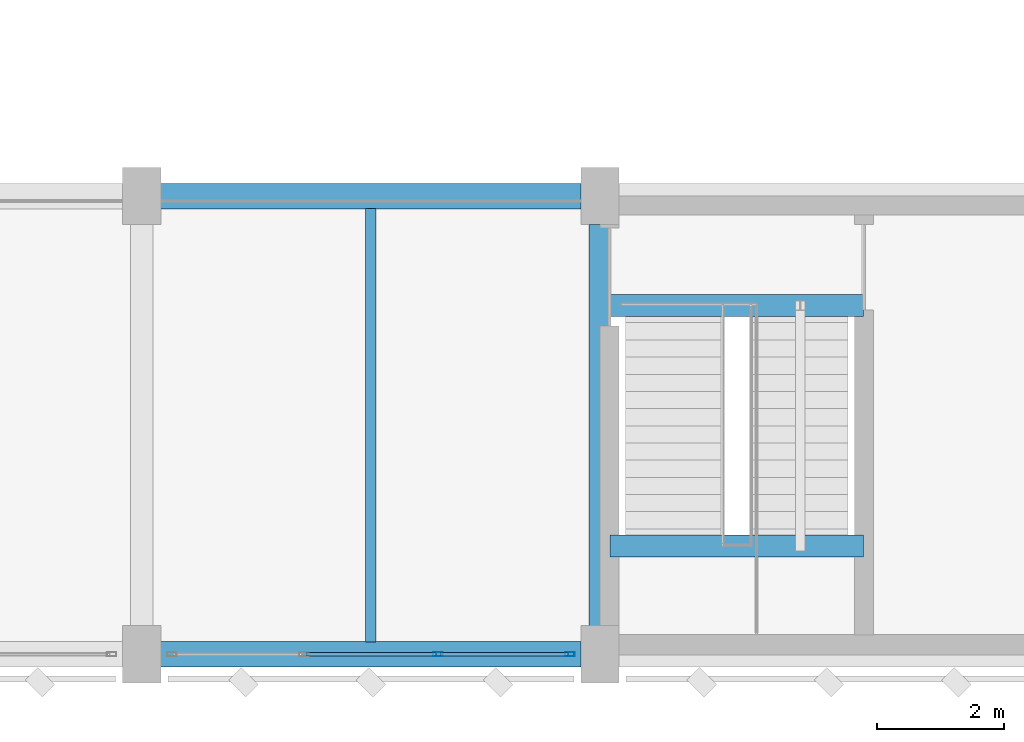
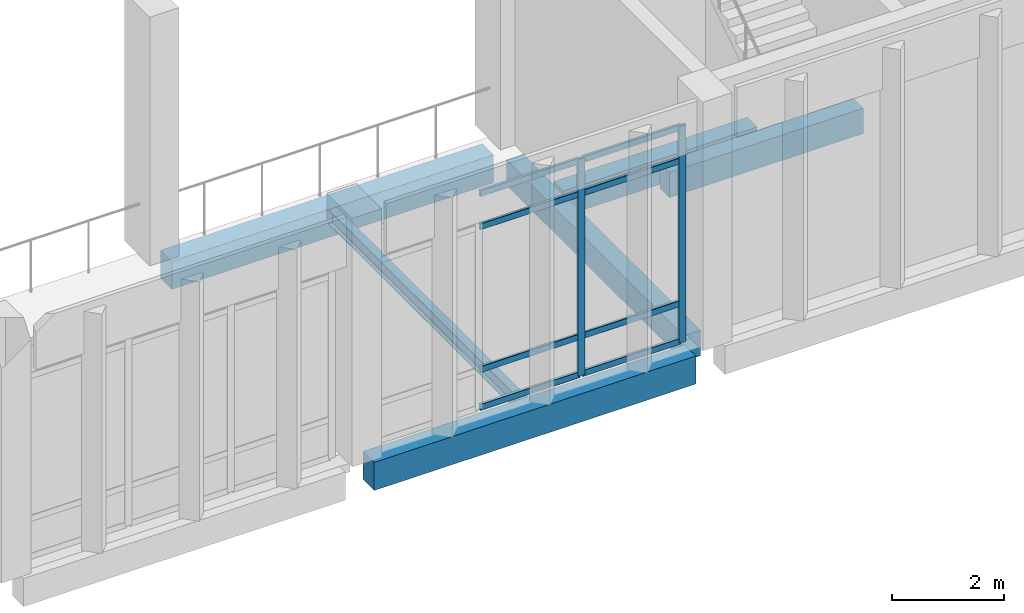
# One storey, part 100 of 180: 10 members, 6 beams, 1 element without a shape of its own.
"""IFC4 building model written with IfcOpenShell, lengths in metres."""

from ifc_helpers import new_model, si_unit, direction, frame, origin, origin_2d, place, context, subcontext, project, spatial, rectangle, hollow_rectangle, i_section, extrude, material, material_profile, profile_set, type_object, element, aggregate, save


model = new_model("IFC4")

# Units and contexts
model_context = context("Model", 3, precision=1e-05, world=origin(), true_north=direction((0.0, 1.0)))
body_context = subcontext(model_context, "Body", "Model", "MODEL_VIEW")
ifc_project = project(units=[si_unit("LENGTHUNIT", "METRE"), si_unit("AREAUNIT", "SQUARE_METRE"), si_unit("VOLUMEUNIT", "CUBIC_METRE"), si_unit("PLANEANGLEUNIT", "RADIAN"), si_unit("MASSUNIT", "GRAM", prefix="KILO")], contexts=[model_context])

# Site, building, storey
site_placement = place(None, origin())
site = spatial("IfcSite", under=ifc_project, at=site_placement, CompositionType="ELEMENT")
building_placement = place(site_placement, origin())
building = spatial("IfcBuilding", under=site, at=building_placement, Name="Lusvemor Sports Hall", CompositionType="ELEMENT")
storey_placement = place(building_placement, frame((0.0, 0.0, 5.39990234375)))
storey = spatial("IfcBuildingStorey", under=building, at=storey_placement, Name="L01", CompositionType="ELEMENT", Elevation=5.39990234375)

# Beams
ifc_material_1 = material(Name="Concrete C40/50", Category="concrete")
ifc_material_profile_1 = material_profile(ifc_material_1, rectangle(XDim=0.35009765625, YDim=0.550048828125, at=origin_2d()), Name="RC350x550")
ifc_profile_set_1 = profile_set([ifc_material_profile_1], Name="Concrete C40/50")
beam_type_1 = type_object("IfcBeamType", Name="BEAM_RC_550", PredefinedType="BEAM", material=ifc_profile_set_1)
beam_1_placement = place(storey_placement, frame((162.0, 0.446044921875, -0.534912109375), z_axis=(0.0, 1.0, 0.0), x_axis=(-1.0, 0.0, 0.0)))
element("IfcBeam", 1, at=beam_1_placement, inside=storey, type_object=beam_type_1, Name="Beam L01 19:A-B", PredefinedType="BEAM", context=body_context, shape_type="SweptSolid", body=[
    extrude(rectangle(XDim=0.35009765625, YDim=0.550048828125, at=origin_2d()), origin(), (0.0, 0.0, 1.0), 6.307861328125),
])
for number, where, z_axis, x_axis, name in (
    (2, (162.159912109375, 5.47998046875, -0.454833984375), (1.0, 0.0, 0.0), (0.0, 1.0, 0.0), "Stair STR-C8-L00 Top-Landing Beam"),
    (3, (162.159912109375, 1.699951171875, 2.2451171875), (1.0, 0.0, 0.0), (0.0, 1.0, 0.0), "Stair STR-C8-L01 Mid-Landing Beam"),
):
    element("IfcBeam", number, at=place(storey_placement, frame(where, z_axis=z_axis, x_axis=x_axis)), inside=storey, type_object=beam_type_1, Name=name, PredefinedType="BEAM", context=body_context, shape_type="SweptSolid", body=[
        extrude(rectangle(XDim=0.35009765625, YDim=0.550048828125, at=origin_2d()), origin(), (0.0, 0.0, 1.0), 3.97998046875),
    ])

# Curtain wall, members
ifc_material_2 = material(Name="Thermally broken bronze-anodized aluminium", Category="aluminium")
curtain_wall_type = type_object("IfcCurtainWallType", Name="CW_COURT_C", PredefinedType="NOTDEFINED", material=ifc_material_2)
curtain_wall_placement = place(storey_placement, origin())
curtain_wall = element("IfcCurtainWall", 4, at=curtain_wall_placement, inside=storey, type_object=curtain_wall_type, Name="Curtain Wall CW-V2S-L01-5", PredefinedType="NOTDEFINED")
ifc_material_3 = material(Name="Thermally broken bronze-anodized aluminium", Category="aluminium")
ifc_material_profile_2 = material_profile(ifc_material_3, hollow_rectangle(XDim=0.06494140625, YDim=0.14990234375, WallThickness=0.00390625, InnerFilletRadius=0.00390625, OuterFilletRadius=0.008056640625, at=origin_2d()), Name="CWMUL150x65x4")
ifc_profile_set_2 = profile_set([ifc_material_profile_2], Name="Thermally broken bronze-anodized aluminium")
member_type_1 = type_object("IfcMemberType", Name="CW_MUL_B", PredefinedType="MULLION", material=ifc_profile_set_2)
member_1_placement = place(storey_placement, frame((161.527587890625, 0.0, 0.0), z_axis=(0.0, 0.0, 1.0), x_axis=(0.0, -1.0, 0.0)))
member_1 = element("IfcMember", 5, at=member_1_placement, type_object=member_type_1, Name="CW03 mullion 1", PredefinedType="MULLION", context=body_context, shape_type="SweptSolid", body=[
    extrude(hollow_rectangle(XDim=0.06494140625, YDim=0.14990234375, WallThickness=0.00390625, InnerFilletRadius=0.00390625, OuterFilletRadius=0.008056640625, at=origin_2d()), origin(), (0.0, 0.0, 1.0), 4.7001953125),
])
member_2_placement = place(storey_placement, frame((159.453369140625, 0.0, 0.0), z_axis=(0.0, 0.0, 1.0), x_axis=(0.0, -1.0, 0.0)))
member_2 = element("IfcMember", 6, at=member_2_placement, type_object=member_type_1, Name="CW03 mullion 2", PredefinedType="MULLION", context=body_context, shape_type="SweptSolid", body=[
    extrude(hollow_rectangle(XDim=0.06494140625, YDim=0.14990234375, WallThickness=0.00390625, InnerFilletRadius=0.00390625, OuterFilletRadius=0.008056640625, at=origin_2d()), origin(), (0.0, 0.0, 1.0), 4.7001953125),
])
ifc_material_4 = material(Name="Thermally broken bronze-anodized aluminium", Category="aluminium")
ifc_material_profile_3 = material_profile(ifc_material_4, hollow_rectangle(XDim=0.06005859375, YDim=0.135009765625, WallThickness=0.00390625, InnerFilletRadius=0.00390625, OuterFilletRadius=0.008056640625, at=origin_2d()), Name="CWTRN135x60x4")
ifc_profile_set_3 = profile_set([ifc_material_profile_3], Name="Thermally broken bronze-anodized aluminium")
member_type_2 = type_object("IfcMemberType", Name="CW_TRN_B", PredefinedType="USERDEFINED", material=ifc_profile_set_3)
member_3_placement = place(storey_placement, frame((161.4951171875, 0.0, 0.030029296875), z_axis=(-1.0, 0.0, 0.0), x_axis=(0.0, -1.0, 0.0)))
member_3 = element("IfcMember", 7, at=member_3_placement, type_object=member_type_2, Name="CW03 transom 1.1", ObjectType="TRANSOM", PredefinedType="USERDEFINED", context=body_context, shape_type="SweptSolid", body=[
    extrude(hollow_rectangle(XDim=0.06005859375, YDim=0.135009765625, WallThickness=0.00390625, InnerFilletRadius=0.00390625, OuterFilletRadius=0.008056640625, at=origin_2d()), origin(), (0.0, 0.0, 1.0), 2.00927734375),
])
member_4_placement = place(storey_placement, frame((161.4951171875, 0.0, 0.85009765625), z_axis=(-1.0, 0.0, 0.0), x_axis=(0.0, -1.0, 0.0)))
member_4 = element("IfcMember", 8, at=member_4_placement, type_object=member_type_2, Name="CW03 transom 1.2", ObjectType="TRANSOM", PredefinedType="USERDEFINED", context=body_context, shape_type="SweptSolid", body=[
    extrude(hollow_rectangle(XDim=0.06005859375, YDim=0.135009765625, WallThickness=0.00390625, InnerFilletRadius=0.00390625, OuterFilletRadius=0.008056640625, at=origin_2d()), origin(), (0.0, 0.0, 1.0), 2.00927734375),
])
member_5_placement = place(storey_placement, frame((161.4951171875, 0.0, 3.9501953125), z_axis=(-1.0, 0.0, 0.0), x_axis=(0.0, -1.0, 0.0)))
member_5 = element("IfcMember", 9, at=member_5_placement, type_object=member_type_2, Name="CW03 transom 1.3", ObjectType="TRANSOM", PredefinedType="USERDEFINED", context=body_context, shape_type="SweptSolid", body=[
    extrude(hollow_rectangle(XDim=0.06005859375, YDim=0.135009765625, WallThickness=0.00390625, InnerFilletRadius=0.00390625, OuterFilletRadius=0.008056640625, at=origin_2d()), origin(), (0.0, 0.0, 1.0), 2.00927734375),
])
member_6_placement = place(storey_placement, frame((161.4951171875, 0.0, 4.670166015625), z_axis=(-1.0, 0.0, 0.0), x_axis=(0.0, -1.0, 0.0)))
member_6 = element("IfcMember", 10, at=member_6_placement, type_object=member_type_2, Name="CW03 transom 1.4", ObjectType="TRANSOM", PredefinedType="USERDEFINED", context=body_context, shape_type="SweptSolid", body=[
    extrude(hollow_rectangle(XDim=0.06005859375, YDim=0.135009765625, WallThickness=0.00390625, InnerFilletRadius=0.00390625, OuterFilletRadius=0.008056640625, at=origin_2d()), origin(), (0.0, 0.0, 1.0), 2.00927734375),
])
member_7_placement = place(storey_placement, frame((159.4208984375, 0.0, 0.030029296875), z_axis=(-1.0, 0.0, 0.0), x_axis=(0.0, -1.0, 0.0)))
member_7 = element("IfcMember", 11, at=member_7_placement, type_object=member_type_2, Name="CW03 transom 2.1", ObjectType="TRANSOM", PredefinedType="USERDEFINED", context=body_context, shape_type="SweptSolid", body=[
    extrude(hollow_rectangle(XDim=0.06005859375, YDim=0.135009765625, WallThickness=0.00390625, InnerFilletRadius=0.00390625, OuterFilletRadius=0.008056640625, at=origin_2d()), origin(), (0.0, 0.0, 1.0), 2.041748046875),
])
member_8_placement = place(storey_placement, frame((159.4208984375, 0.0, 0.85009765625), z_axis=(-1.0, 0.0, 0.0), x_axis=(0.0, -1.0, 0.0)))
member_8 = element("IfcMember", 12, at=member_8_placement, type_object=member_type_2, Name="CW03 transom 2.2", ObjectType="TRANSOM", PredefinedType="USERDEFINED", context=body_context, shape_type="SweptSolid", body=[
    extrude(hollow_rectangle(XDim=0.06005859375, YDim=0.135009765625, WallThickness=0.00390625, InnerFilletRadius=0.00390625, OuterFilletRadius=0.008056640625, at=origin_2d()), origin(), (0.0, 0.0, 1.0), 2.041748046875),
])
member_9_placement = place(storey_placement, frame((159.4208984375, 0.0, 3.9501953125), z_axis=(-1.0, 0.0, 0.0), x_axis=(0.0, -1.0, 0.0)))
member_9 = element("IfcMember", 13, at=member_9_placement, type_object=member_type_2, Name="CW03 transom 2.3", ObjectType="TRANSOM", PredefinedType="USERDEFINED", context=body_context, shape_type="SweptSolid", body=[
    extrude(hollow_rectangle(XDim=0.06005859375, YDim=0.135009765625, WallThickness=0.00390625, InnerFilletRadius=0.00390625, OuterFilletRadius=0.008056640625, at=origin_2d()), origin(), (0.0, 0.0, 1.0), 2.041748046875),
])
member_10_placement = place(storey_placement, frame((159.4208984375, 0.0, 4.670166015625), z_axis=(-1.0, 0.0, 0.0), x_axis=(0.0, -1.0, 0.0)))
member_10 = element("IfcMember", 14, at=member_10_placement, type_object=member_type_2, Name="CW03 transom 2.4", ObjectType="TRANSOM", PredefinedType="USERDEFINED", context=body_context, shape_type="SweptSolid", body=[
    extrude(hollow_rectangle(XDim=0.06005859375, YDim=0.135009765625, WallThickness=0.00390625, InnerFilletRadius=0.00390625, OuterFilletRadius=0.008056640625, at=origin_2d()), origin(), (0.0, 0.0, 1.0), 2.041748046875),
])
aggregate(curtain_wall, [member_1, member_2, member_3, member_4, member_5, member_6, member_7, member_8, member_9, member_10])

# Beams
ifc_material_5 = material(Name="Steel S355", Category="steel")
ifc_material_profile_4 = material_profile(ifc_material_5, i_section(OverallWidth=0.1669921875, OverallDepth=0.31689453125, WebThickness=0.007568359375, FlangeThickness=0.01318359375, FilletRadius=0.014892578125, at=origin_2d()), Name="W310x52.0")
ifc_profile_set_4 = profile_set([ifc_material_profile_4], Name="Steel S355")
beam_type_2 = type_object("IfcBeamType", Name="JOIST_ST_310M", PredefinedType="JOIST", material=ifc_profile_set_4)
beam_2_placement = place(storey_placement, frame((158.39990234375, 0.196044921875, -0.42236328125), z_axis=(0.0, 1.0, 0.0), x_axis=(-1.0, 0.0, 0.0)))
element("IfcBeam", 15, at=beam_2_placement, inside=storey, type_object=beam_type_2, Name="Secondary Joist L01 18-19/A-B #1", PredefinedType="JOIST", context=body_context, shape_type="SweptSolid", body=[
    extrude(i_section(OverallWidth=0.1669921875, OverallDepth=0.31689453125, WebThickness=0.007568359375, FlangeThickness=0.01318359375, FilletRadius=0.014892578125, at=origin_2d()), origin(), (0.0, 0.0, 1.0), 6.807861328125),
])
ifc_material_6 = material(Name="Concrete C40/50", Category="concrete")
ifc_material_profile_5 = material_profile(ifc_material_6, rectangle(XDim=0.39990234375, YDim=0.610107421875, at=origin_2d()), Name="RC400x610")
ifc_profile_set_5 = profile_set([ifc_material_profile_5], Name="Concrete C40/50")
beam_type_3 = type_object("IfcBeamType", Name="SPAND_EXT_650", PredefinedType="SPANDREL", material=ifc_profile_set_5)
for number, where, z_axis, x_axis, name in (
    (16, (155.095947265625, 0.0, -0.56494140625), (1.0, 0.0, 0.0), (0.0, 1.0, 0.0), "Beam L01 A:18-19"),
    (17, (155.095947265625, 7.199951171875, -0.56494140625), (1.0, 0.0, 0.0), (0.0, 1.0, 0.0), "Beam L01 B:18-19"),
):
    element("IfcBeam", number, at=place(storey_placement, frame(where, z_axis=z_axis, x_axis=x_axis)), inside=storey, type_object=beam_type_3, Name=name, PredefinedType="SPANDREL", context=body_context, shape_type="SweptSolid", body=[
        extrude(rectangle(XDim=0.39990234375, YDim=0.610107421875, at=origin_2d()), origin(), (0.0, 0.0, 1.0), 6.608154296875),
    ])

save(model, "model.ifc")
